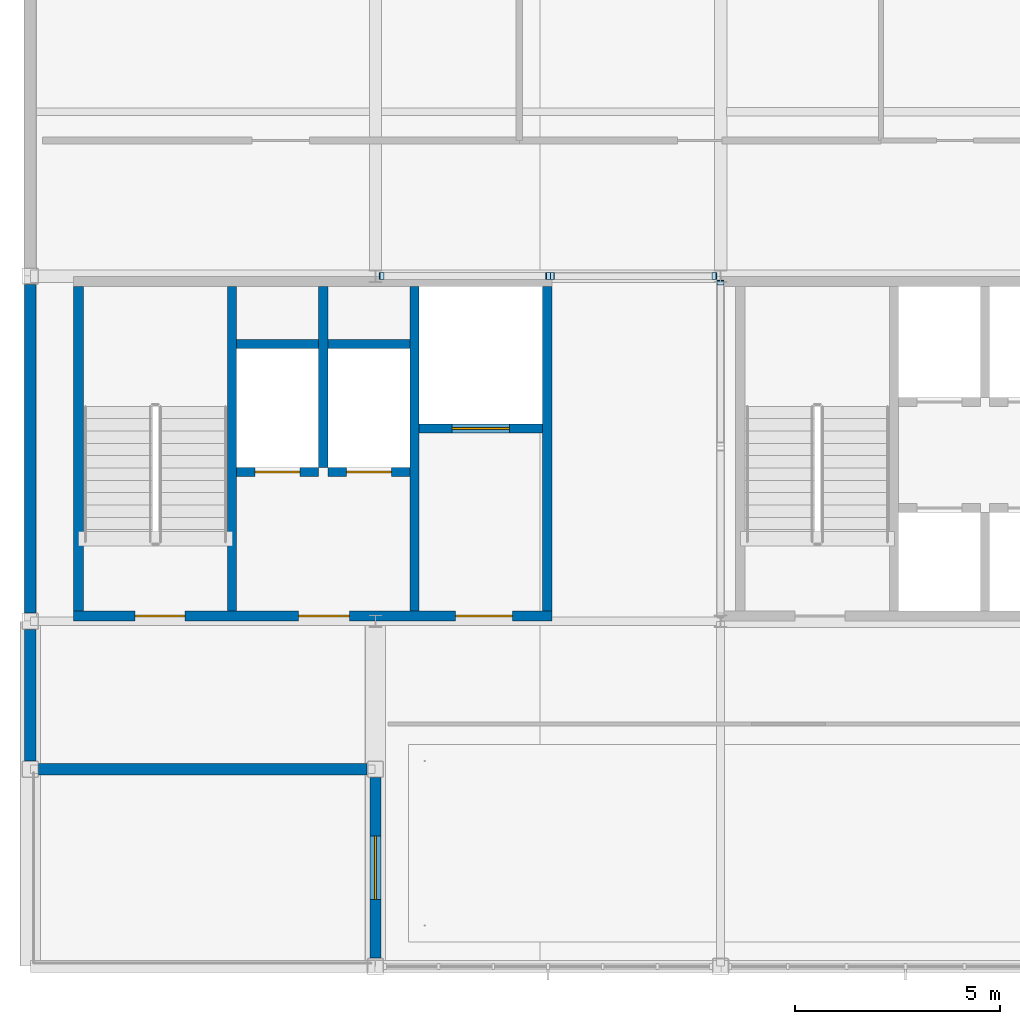
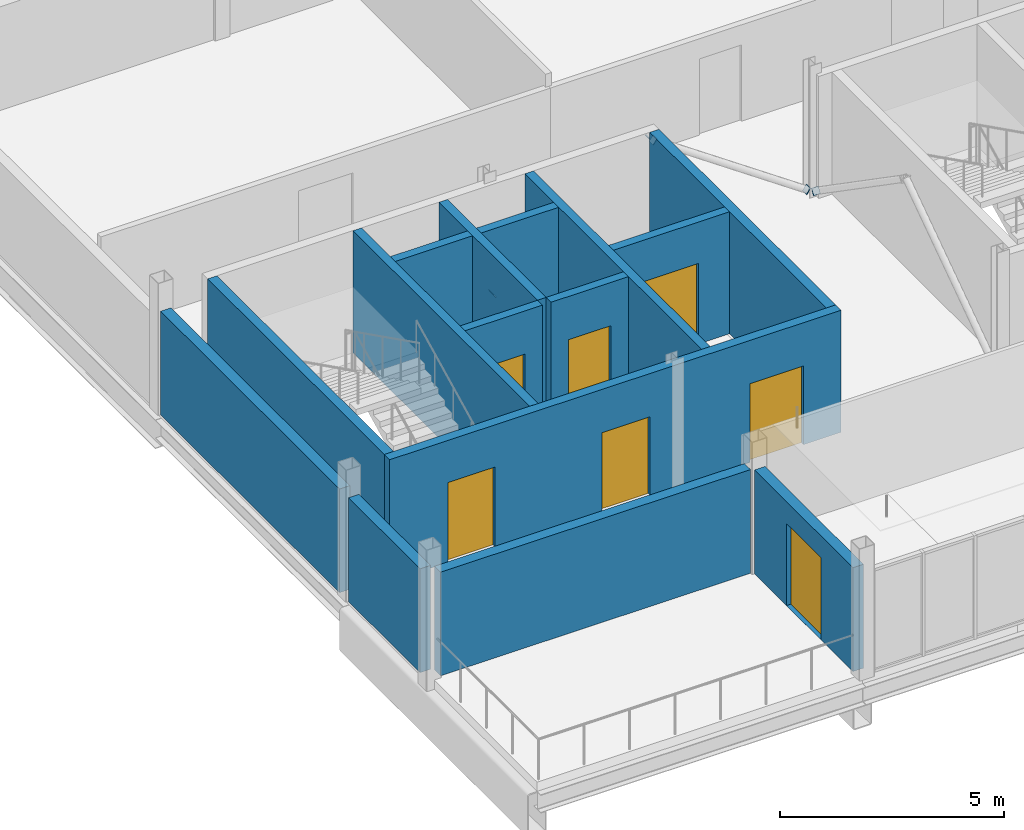
# One storey, part 11 of 17: 15 walls, 7 doors, 5 plates, 7 openings.
"""IFC4 building model written with IfcOpenShell, lengths in metres."""

from ifc_helpers import new_model, si_unit, direction, frame, frame_2d, origin, origin_2d, place, context, subcontext, project, spatial, rectangle, extrude, material, layer, layer_set, type_object, element, fill, save


model = new_model("IFC4")

# Units and contexts
model_context = context("Model", 3, precision=1e-05, world=origin(), true_north=direction((0.0, 1.0)))
body_context = subcontext(model_context, "Body", "Model", "MODEL_VIEW")
ifc_project = project(units=[si_unit("LENGTHUNIT", "METRE"), si_unit("AREAUNIT", "SQUARE_METRE"), si_unit("VOLUMEUNIT", "CUBIC_METRE"), si_unit("PLANEANGLEUNIT", "RADIAN"), si_unit("MASSUNIT", "GRAM", prefix="KILO")], contexts=[model_context])

# Site, building, storey
site_placement = place(None, origin())
site = spatial("IfcSite", under=ifc_project, at=site_placement, CompositionType="ELEMENT")
building_placement = place(site_placement, origin())
building = spatial("IfcBuilding", under=site, at=building_placement, Name="Yukiwa Park Conservatory and Herbarium", CompositionType="ELEMENT")
storey_placement = place(building_placement, frame((0.0, 0.0, 57.60009765625)))
storey = spatial("IfcBuildingStorey", under=building, at=storey_placement, Name="L15", CompositionType="ELEMENT", Elevation=57.60009765625)

# Plates
ifc_material_1 = material(Name="Steel Q355D", Category="steel")
ifc_layer_1 = layer(ifc_material_1, 0.02392578125)
ifc_layer_set_1 = layer_set([ifc_layer_1], Name="Steel Q355D")
plate_type = type_object("IfcPlateType", Name="PL-CAP-24-INT", PredefinedType="USERDEFINED", material=ifc_layer_set_1)
for number, where, z_axis, x_axis, name in (
    (1, (141.755859375, 103.199951171875, 0.157470703125), (-0.827306252425, 0.0, -0.561751159054), (0.0, -1.0, 0.0), "Hollow section end cap plate CAP-BR-L15-073A"),
    (2, (145.79345703125, 103.199951171875, 2.950439453125), (0.822557603224, 0.0, 0.56868179976), (0.0, 1.0, 0.0), "Hollow section end cap plate CAP-BR-L15-073B"),
    (3, (149.843994140625, 103.199951171875, 0.157470703125), (0.827306252425, 0.0, -0.561751159054), (0.0, 1.0, 0.0), "Hollow section end cap plate CAP-BR-L15-074A"),
    (4, (145.909423828125, 103.199951171875, 2.87939453125), (-0.822557603224, 0.0, 0.56868179976), (0.0, -1.0, 0.0), "Hollow section end cap plate CAP-BR-L15-074B"),
    (5, (150.0, 103.033203125, 0.1650390625), (0.0, 0.822557603224, -0.56868179976), (-1.0, 0.0, 0.0), "Hollow section end cap plate CAP-BR-L15-076A"),
):
    element("IfcPlate", number, at=place(storey_placement, frame(where, z_axis=z_axis, x_axis=x_axis)), inside=storey, type_object=plate_type, Name=name, ObjectType="END CAP PLATE", PredefinedType="USERDEFINED", context=body_context, shape_type="SweptSolid", body=[
        extrude(rectangle(XDim=0.17626953125, YDim=0.17626953125, at=origin_2d()), origin(), (0.0, 0.0, 1.0), 0.02392578125),
    ])

# Walls
ifc_material_2 = material(Name="Concrete C40", Category="concrete")
ifc_layer_2 = layer(ifc_material_2, 0.219970703125)
ifc_layer_set_2 = layer_set([ifc_layer_2], Name="Concrete C40")
wall_type_1 = type_object("IfcWallType", Name="WL-CORE-RC220", PredefinedType="SHEAR", material=ifc_layer_set_2)
wall_1_placement = place(storey_placement, frame((138.110107421875, 95.050048828125, 0.0), z_axis=(0.0, 0.0, 1.0), x_axis=(0.0, 1.0, 0.0)))
element("IfcWall", 6, at=wall_1_placement, inside=storey, type_object=wall_type_1, Name="L15 core shear wall 826", PredefinedType="SHEAR", context=body_context, shape_type="SweptSolid", body=[
    extrude(rectangle(XDim=7.89990234375, YDim=0.219970703125, at=frame_2d((3.949951171875, 0.0))), origin(), (0.0, 0.0, 1.0), 3.329833984375),
])
wall_2_placement = place(storey_placement, frame((140.330078125, 98.5400390625, 0.0), z_axis=(0.0, 0.0, 1.0), x_axis=(0.0, 1.0, 0.0)))
element("IfcWall", 7, at=wall_2_placement, inside=storey, type_object=wall_type_1, Name="L15 core shear wall 827", PredefinedType="SHEAR", context=body_context, shape_type="SweptSolid", body=[
    extrude(rectangle(XDim=4.409912109375, YDim=0.219970703125, at=frame_2d((2.205078125, 0.0))), origin(), (0.0, 0.0, 1.0), 3.329833984375),
])
wall_3_placement = place(storey_placement, frame((142.550048828125, 95.050048828125, 0.0), z_axis=(0.0, 0.0, 1.0), x_axis=(0.0, 1.0, 0.0)))
element("IfcWall", 8, at=wall_3_placement, inside=storey, type_object=wall_type_1, Name="L15 core shear wall 828", PredefinedType="SHEAR", context=body_context, shape_type="SweptSolid", body=[
    extrude(rectangle(XDim=7.89990234375, YDim=0.219970703125, at=frame_2d((3.949951171875, 0.0))), origin(), (0.0, 0.0, 1.0), 3.329833984375),
])

# Wall, opening, door
wall_4_placement = place(storey_placement, frame((138.219970703125, 98.429931640625, 0.0), z_axis=(0.0, 0.0, 1.0), x_axis=(1.0, 0.0, 0.0)))
wall_4 = element("IfcWall", 9, at=wall_4_placement, inside=storey, type_object=wall_type_1, Name="L15 core shear wall 830", PredefinedType="SHEAR", context=body_context, shape_type="SweptSolid", body=[
    extrude(rectangle(XDim=2.0, YDim=0.219970703125, at=frame_2d((1.0, 0.0))), origin(), (0.0, 0.0, 1.0), 3.329833984375),
])
opening_1_placement = place(wall_4_placement, frame((0.449951171875, 0.0, 0.0)))
opening_1 = element("IfcOpeningElement", 10, at=opening_1_placement, cuts=wall_4, Name="Opening LD-01", PredefinedType="OPENING", context=body_context, shape_type="SweptSolid", body=[
    extrude(rectangle(XDim=1.10009765625, YDim=2.14990234375, at=frame_2d((0.550048828125, 1.074951171875))), frame((0.0, 0.1201171875, 0.0), z_axis=(0.0, -1.0, 0.0), x_axis=(1.0, 0.0, 0.0)), (0.0, 0.0, 1.0), 0.239990234375),
])
ifc_material_3 = material(Name="Steel Q235B", Category="steel")
door_type_1 = type_object("IfcDoorType", Name="DR-LIFT-LD1100", OperationType="SLIDING_TO_LEFT", PredefinedType="DOOR", material=ifc_material_3)
door_1_placement = place(opening_1_placement, origin())
door_1 = element("IfcDoor", 11, at=door_1_placement, inside=storey, type_object=door_type_1, Name="L15 Firefighting Lift FL1 sliding landing door", OperationType="SLIDING_TO_LEFT", OverallHeight=2.14990234375, OverallWidth=1.10009765625, PredefinedType="DOOR", context=body_context, shape_type="SweptSolid", body=[
    extrude(rectangle(XDim=1.10009765625, YDim=2.14990234375, at=frame_2d((0.550048828125, 1.074951171875))), frame((0.0, 0.02490234375, 0.0), z_axis=(0.0, -1.0, 0.0), x_axis=(1.0, 0.0, 0.0)), (0.0, 0.0, 1.0), 0.050048828125),
])
fill(opening_1, door_1)

wall_5_placement = place(storey_placement, frame((140.43994140625, 98.429931640625, 0.0), z_axis=(0.0, 0.0, 1.0), x_axis=(1.0, 0.0, 0.0)))
wall_5 = element("IfcWall", 12, at=wall_5_placement, inside=storey, type_object=wall_type_1, Name="L15 core shear wall 831", PredefinedType="SHEAR", context=body_context, shape_type="SweptSolid", body=[
    extrude(rectangle(XDim=2.0, YDim=0.219970703125, at=frame_2d((1.0, 0.0))), origin(), (0.0, 0.0, 1.0), 3.329833984375),
])
opening_2_placement = place(wall_5_placement, frame((0.449951171875, 0.0, 0.0)))
opening_2 = element("IfcOpeningElement", 13, at=opening_2_placement, cuts=wall_5, Name="Opening LD-01", PredefinedType="OPENING", context=body_context, shape_type="SweptSolid", body=[
    extrude(rectangle(XDim=1.10009765625, YDim=2.14990234375, at=frame_2d((0.550048828125, 1.074951171875))), frame((0.0, 0.1201171875, 0.0), z_axis=(0.0, -1.0, 0.0), x_axis=(1.0, 0.0, 0.0)), (0.0, 0.0, 1.0), 0.239990234375),
])
door_2_placement = place(opening_2_placement, origin())
door_2 = element("IfcDoor", 14, at=door_2_placement, inside=storey, type_object=door_type_1, Name="L15 Firefighting Lift FL2 sliding landing door", OperationType="SLIDING_TO_LEFT", OverallHeight=2.14990234375, OverallWidth=1.10009765625, PredefinedType="DOOR", context=body_context, shape_type="SweptSolid", body=[
    extrude(rectangle(XDim=1.10009765625, YDim=2.14990234375, at=frame_2d((0.550048828125, 1.074951171875))), frame((0.0, 0.02490234375, 0.0), z_axis=(0.0, -1.0, 0.0), x_axis=(1.0, 0.0, 0.0)), (0.0, 0.0, 1.0), 0.050048828125),
])
fill(opening_2, door_2)

# Walls
for number, where, z_axis, x_axis, name in (
    (15, (138.219970703125, 101.550048828125, 0.0), (0.0, 0.0, 1.0), (1.0, 0.0, 0.0), "L15 core shear wall 832"),
    (16, (140.43994140625, 101.550048828125, 0.0), (0.0, 0.0, 1.0), (1.0, 0.0, 0.0), "L15 core shear wall 833"),
):
    element("IfcWall", number, at=place(storey_placement, frame(where, z_axis=z_axis, x_axis=x_axis)), inside=storey, type_object=wall_type_1, Name=name, PredefinedType="SHEAR", context=body_context, shape_type="SweptSolid", body=[
        extrude(rectangle(XDim=2.0, YDim=0.219970703125, at=frame_2d((1.0, 0.0))), origin(), (0.0, 0.0, 1.0), 3.329833984375),
    ])

# Wall, opening, door
wall_6_placement = place(storey_placement, frame((142.659912109375, 99.489990234375, 0.0), z_axis=(0.0, 0.0, 1.0), x_axis=(1.0, 0.0, 0.0)))
wall_6 = element("IfcWall", 17, at=wall_6_placement, inside=storey, type_object=wall_type_1, Name="L15 core shear wall 834", PredefinedType="SHEAR", context=body_context, shape_type="SweptSolid", body=[
    extrude(rectangle(XDim=3.0, YDim=0.219970703125, at=frame_2d((1.5, 0.0))), origin(), (0.0, 0.0, 1.0), 3.329833984375),
])
opening_3_placement = place(wall_6_placement, frame((0.800048828125, 0.0, 0.0)))
opening_3 = element("IfcOpeningElement", 18, at=opening_3_placement, cuts=wall_6, Name="Opening LD-02", PredefinedType="OPENING", context=body_context, shape_type="SweptSolid", body=[
    extrude(rectangle(XDim=1.39990234375, YDim=2.199951171875, at=frame_2d((0.699951171875, 1.10009765625))), frame((0.0, 0.1201171875, 0.0), z_axis=(0.0, -1.0, 0.0), x_axis=(1.0, 0.0, 0.0)), (0.0, 0.0, 1.0), 0.239990234375),
])
ifc_material_4 = material(Name="Steel Q235B", Category="steel")
door_type_2 = type_object("IfcDoorType", Name="DR-LIFT-LD1400", OperationType="SLIDING_TO_LEFT", PredefinedType="DOOR", material=ifc_material_4)
door_3_placement = place(opening_3_placement, origin())
door_3 = element("IfcDoor", 19, at=door_3_placement, inside=storey, type_object=door_type_2, Name="L15 Goods Lift GL1 sliding landing door", OperationType="SLIDING_TO_LEFT", OverallHeight=2.199951171875, OverallWidth=1.39990234375, PredefinedType="DOOR", context=body_context, shape_type="SweptSolid", body=[
    extrude(rectangle(XDim=1.39990234375, YDim=2.199951171875, at=frame_2d((0.699951171875, 1.10009765625))), frame((0.0, 0.02490234375, 0.0), z_axis=(0.0, -1.0, 0.0), x_axis=(1.0, 0.0, 0.0)), (0.0, 0.0, 1.0), 0.050048828125),
])
fill(opening_3, door_3)

# Wall, openings, doors
ifc_material_5 = material(Name="Concrete C50", Category="concrete")
ifc_layer_3 = layer(ifc_material_5, 0.239990234375)
ifc_layer_set_3 = layer_set([ifc_layer_3], Name="Concrete C50")
wall_type_2 = type_object("IfcWallType", Name="WL-CORE-RC240", PredefinedType="SHEAR", material=ifc_layer_set_3)
wall_7_placement = place(storey_placement, frame((134.25, 94.929931640625, 0.0), z_axis=(0.0, 0.0, 1.0), x_axis=(1.0, 0.0, 0.0)))
wall_7 = element("IfcWall", 20, at=wall_7_placement, inside=storey, type_object=wall_type_2, Name="L15 core shear wall 823", PredefinedType="SHEAR", context=body_context, shape_type="SweptSolid", body=[
    extrude(rectangle(XDim=11.64990234375, YDim=0.239990234375, at=frame_2d((5.824951171875, 0.0))), origin(), (0.0, 0.0, 1.0), 3.329833984375),
])
opening_4_placement = place(wall_7_placement, frame((1.5, 0.0, 0.0)))
opening_4 = element("IfcOpeningElement", 21, at=opening_4_placement, cuts=wall_7, Name="Opening SD-01", PredefinedType="OPENING", context=body_context, shape_type="SweptSolid", body=[
    extrude(rectangle(XDim=1.219970703125, YDim=2.179931640625, at=frame_2d((0.60986328125, 1.08984375))), frame((0.0, 0.1298828125, 0.0), z_axis=(0.0, -1.0, 0.0), x_axis=(1.0, 0.0, 0.0)), (0.0, 0.0, 1.0), 0.260009765625),
])
opening_5_placement = place(wall_7_placement, frame((5.47998046875, 0.0, 0.0)))
opening_5 = element("IfcOpeningElement", 22, at=opening_5_placement, cuts=wall_7, Name="Opening FD-02", PredefinedType="OPENING", context=body_context, shape_type="SweptSolid", body=[
    extrude(rectangle(XDim=1.239990234375, YDim=2.14990234375, at=frame_2d((0.6201171875, 1.074951171875))), frame((0.0, 0.1298828125, 0.0), z_axis=(0.0, -1.0, 0.0), x_axis=(1.0, 0.0, 0.0)), (0.0, 0.0, 1.0), 0.260009765625),
])
opening_6_placement = place(wall_7_placement, frame((9.300048828125, 0.0, 0.0)))
opening_6 = element("IfcOpeningElement", 23, at=opening_6_placement, cuts=wall_7, Name="Opening FD-06", PredefinedType="OPENING", context=body_context, shape_type="SweptSolid", body=[
    extrude(rectangle(XDim=1.3798828125, YDim=2.14990234375, at=frame_2d((0.68994140625, 1.074951171875))), frame((0.0, 0.1298828125, 0.0), z_axis=(0.0, -1.0, 0.0), x_axis=(1.0, 0.0, 0.0)), (0.0, 0.0, 1.0), 0.260009765625),
])
ifc_material_6 = material(Name="Steel Q235B", Category="steel")
door_type_3 = type_object("IfcDoorType", Name="DR-FIRE-FD60-1400", OperationType="DOUBLE_DOOR_SINGLE_SWING", PredefinedType="DOOR", material=ifc_material_6)
door_4_placement = place(opening_6_placement, frame((1.3798828125, 0.0, 0.0), z_axis=(0.0, 0.0, 1.0), x_axis=(-1.0, 0.0, 0.0)))
door_4 = element("IfcDoor", 24, at=door_4_placement, inside=storey, type_object=door_type_3, Name="L15 Goods Lift Lobby double fire door", OperationType="DOUBLE_DOOR_SINGLE_SWING", OverallHeight=2.14990234375, OverallWidth=1.3798828125, PredefinedType="DOOR", context=body_context, shape_type="SweptSolid", body=[
    extrude(rectangle(XDim=1.3798828125, YDim=2.14990234375, at=frame_2d((0.68994140625, 1.074951171875))), frame((0.0, 0.02490234375, 0.0), z_axis=(0.0, -1.0, 0.0), x_axis=(1.0, 0.0, 0.0)), (0.0, 0.0, 1.0), 0.050048828125),
])
fill(opening_6, door_4)
ifc_material_7 = material(Name="Steel Q235B", Category="steel")
door_type_4 = type_object("IfcDoorType", Name="DR-FIRE-FD90-1200", OperationType="SINGLE_SWING_RIGHT", PredefinedType="DOOR", material=ifc_material_7)
door_5_placement = place(opening_5_placement, frame((1.239990234375, 0.0, 0.0), z_axis=(0.0, 0.0, 1.0), x_axis=(-1.0, 0.0, 0.0)))
door_5 = element("IfcDoor", 25, at=door_5_placement, inside=storey, type_object=door_type_4, Name="L15 Firefighting Lift Lobby fire door", OperationType="SINGLE_SWING_RIGHT", OverallHeight=2.14990234375, OverallWidth=1.239990234375, PredefinedType="DOOR", context=body_context, shape_type="SweptSolid", body=[
    extrude(rectangle(XDim=1.239990234375, YDim=2.14990234375, at=frame_2d((0.6201171875, 1.074951171875))), frame((0.0, 0.02490234375, 0.0), z_axis=(0.0, -1.0, 0.0), x_axis=(1.0, 0.0, 0.0)), (0.0, 0.0, 1.0), 0.050048828125),
])
fill(opening_5, door_5)
ifc_material_8 = material(Name="Steel Q235B", Category="steel")
door_type_5 = type_object("IfcDoorType", Name="DR-STAIR-FD90-1200", OperationType="SINGLE_SWING_LEFT", PredefinedType="DOOR", material=ifc_material_8)
door_6_placement = place(opening_4_placement, origin())
door_6 = element("IfcDoor", 26, at=door_6_placement, inside=storey, type_object=door_type_5, Name="L15 Stairwell ST-T1 fire door", OperationType="SINGLE_SWING_LEFT", OverallHeight=2.179931640625, OverallWidth=1.219970703125, PredefinedType="DOOR", context=body_context, shape_type="SweptSolid", body=[
    extrude(rectangle(XDim=1.219970703125, YDim=2.179931640625, at=frame_2d((0.60986328125, 1.08984375))), frame((0.0, 0.02490234375, 0.0), z_axis=(0.0, -1.0, 0.0), x_axis=(1.0, 0.0, 0.0)), (0.0, 0.0, 1.0), 0.050048828125),
])
fill(opening_4, door_6)

# Walls
for number, where, z_axis, x_axis, name in (
    (27, (134.3701171875, 95.050048828125, 0.0), (0.0, 0.0, 1.0), (0.0, 1.0, 0.0), "L15 core shear wall 825"),
    (28, (145.780029296875, 95.050048828125, 0.0), (0.0, 0.0, 1.0), (0.0, 1.0, 0.0), "L15 core shear wall 829"),
):
    element("IfcWall", number, at=place(storey_placement, frame(where, z_axis=z_axis, x_axis=x_axis)), inside=storey, type_object=wall_type_2, Name=name, PredefinedType="SHEAR", context=body_context, shape_type="SweptSolid", body=[
        extrude(rectangle(XDim=7.89990234375, YDim=0.239990234375, at=frame_2d((3.949951171875, 0.0))), origin(), (0.0, 0.0, 1.0), 3.329833984375),
    ])
ifc_material_9 = material(Name="Anodised Aluminium", Category="aluminium")
ifc_layer_4 = layer(ifc_material_9, 0.27001953125)
ifc_layer_set_4 = layer_set([ifc_layer_4], Name="Anodised Aluminium")
wall_type_3 = type_object("IfcWallType", Name="WL-EXT-CROWN-270", PredefinedType="SOLIDWALL", material=ifc_layer_set_4)
wall_8_placement = place(storey_placement, frame((133.199951171875, 103.0, 0.0), z_axis=(0.0, 0.0, 1.0), x_axis=(0.0, -1.0, 0.0)))
element("IfcWall", 29, at=wall_8_placement, inside=storey, type_object=wall_type_3, Name="L15 exterior envelope wall 399", PredefinedType="SOLIDWALL", context=body_context, shape_type="SweptSolid", body=[
    extrude(rectangle(XDim=8.0, YDim=0.27001953125, at=frame_2d((4.0, 0.0))), origin(), (0.0, 0.0, 1.0), 2.829833984375),
])
wall_9_placement = place(storey_placement, frame((133.199951171875, 94.60009765625, 0.0), z_axis=(0.0, 0.0, 1.0), x_axis=(0.0, -1.0, 0.0)))
element("IfcWall", 30, at=wall_9_placement, inside=storey, type_object=wall_type_3, Name="L15 exterior envelope wall 400", PredefinedType="SOLIDWALL", context=body_context, shape_type="SweptSolid", body=[
    extrude(rectangle(XDim=3.2001953125, YDim=0.27001953125, at=frame_2d((1.60009765625, 0.0))), origin(), (0.0, 0.0, 1.0), 2.8359375),
])
wall_10_placement = place(storey_placement, frame((133.39990234375, 91.199951171875, 0.0), z_axis=(0.0, 0.0, 1.0), x_axis=(1.0, 0.0, 0.0)))
element("IfcWall", 31, at=wall_10_placement, inside=storey, type_object=wall_type_3, Name="L15 exterior envelope wall 401", PredefinedType="SOLIDWALL", context=body_context, shape_type="SweptSolid", body=[
    extrude(rectangle(XDim=8.0, YDim=0.27001953125, at=frame_2d((4.0, 0.0))), origin(), (0.0, 0.0, 1.0), 2.829833984375),
])

# Wall, opening, door
wall_11_placement = place(storey_placement, frame((141.60009765625, 91.0, 0.0), z_axis=(0.0, 0.0, 1.0), x_axis=(0.0, -1.0, 0.0)))
wall_11 = element("IfcWall", 32, at=wall_11_placement, inside=storey, type_object=wall_type_3, Name="L15 exterior envelope wall 402", PredefinedType="SOLIDWALL", context=body_context, shape_type="SweptSolid", body=[
    extrude(rectangle(XDim=4.39990234375, YDim=0.27001953125, at=frame_2d((2.199951171875, 0.0))), origin(), (0.0, 0.0, 1.0), 2.8359375),
])
opening_7_placement = place(wall_11_placement, frame((1.429931640625, 0.0, 0.0)))
opening_7 = element("IfcOpeningElement", 33, at=opening_7_placement, cuts=wall_11, Name="Opening TD-02", PredefinedType="OPENING", context=body_context, shape_type="SweptSolid", body=[
    extrude(rectangle(XDim=1.5400390625, YDim=2.239990234375, at=frame_2d((0.77001953125, 1.1201171875))), frame((0.0, 0.14501953125, 0.0), z_axis=(0.0, -1.0, 0.0), x_axis=(1.0, 0.0, 0.0)), (0.0, 0.0, 1.0), 0.2900390625),
])
ifc_material_10 = material(Name="Steel Q235B", Category="steel")
door_type_6 = type_object("IfcDoorType", Name="DR-EXT-TER1500", OperationType="DOUBLE_DOOR_SINGLE_SWING", PredefinedType="DOOR", material=ifc_material_10)
door_7_placement = place(opening_7_placement, frame((1.5400390625, 0.0, 0.0), z_axis=(0.0, 0.0, 1.0), x_axis=(-1.0, 0.0, 0.0)))
door_7 = element("IfcDoor", 34, at=door_7_placement, inside=storey, type_object=door_type_6, Name="L15 Sky Observation Deck Terrace door", OperationType="DOUBLE_DOOR_SINGLE_SWING", OverallHeight=2.239990234375, OverallWidth=1.5400390625, PredefinedType="DOOR", context=body_context, shape_type="SweptSolid", body=[
    extrude(rectangle(XDim=1.5400390625, YDim=2.239990234375, at=frame_2d((0.77001953125, 1.1201171875))), frame((0.0, 0.02490234375, 0.0), z_axis=(0.0, -1.0, 0.0), x_axis=(1.0, 0.0, 0.0)), (0.0, 0.0, 1.0), 0.050048828125),
])
fill(opening_7, door_7)

save(model, "model.ifc")
